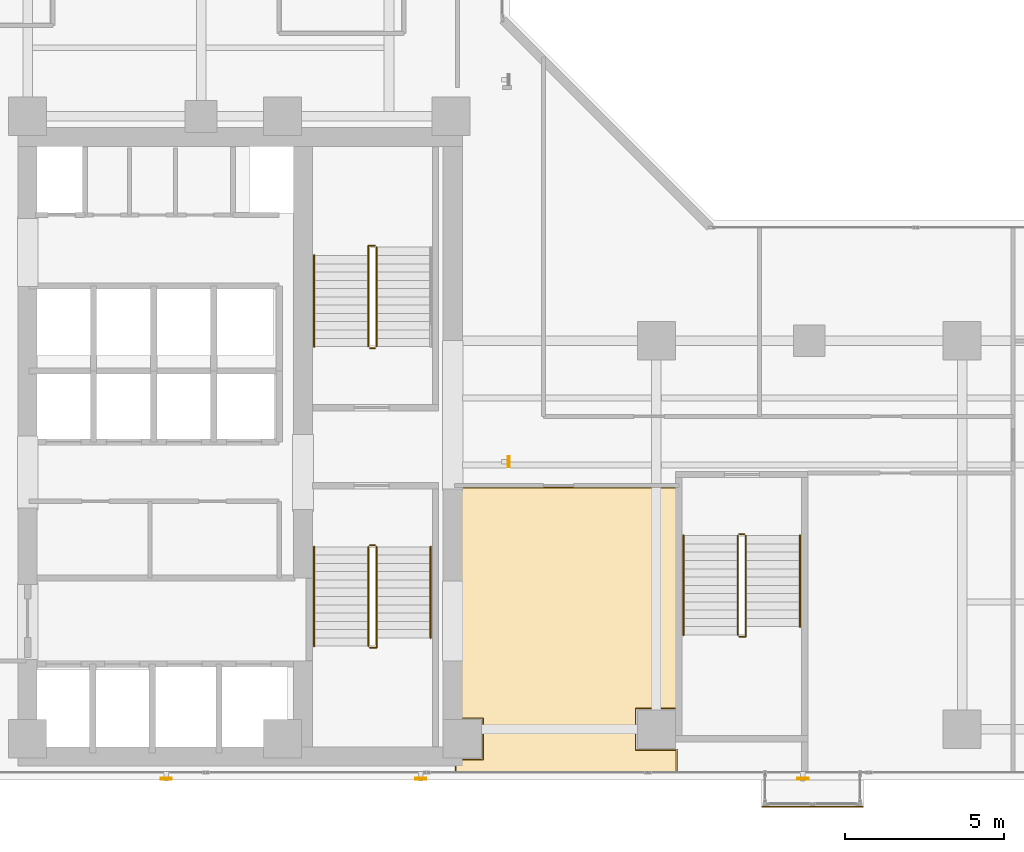
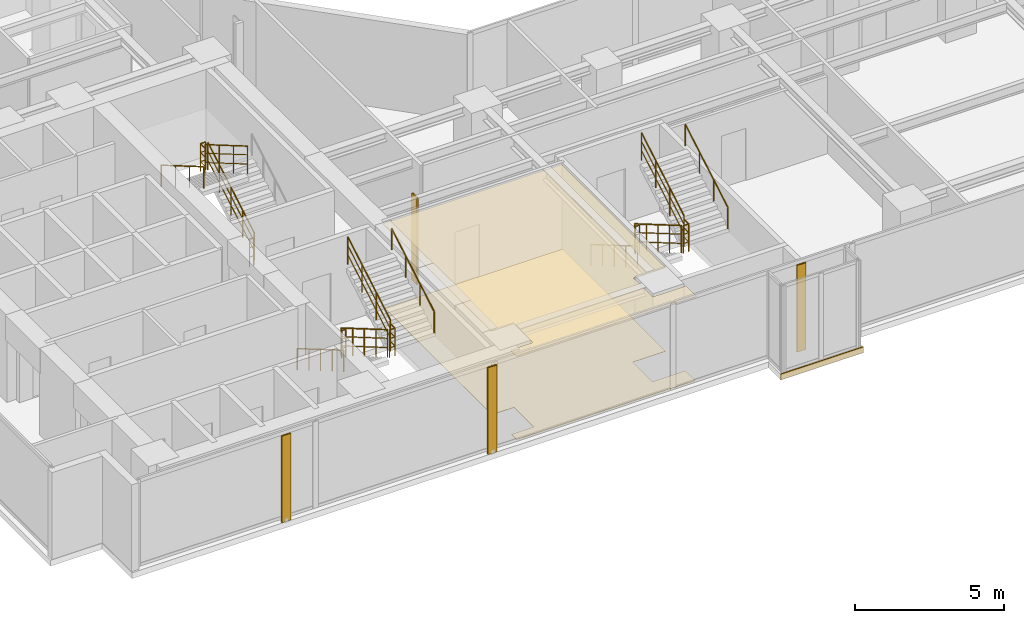
# One storey, part 23 of 24: 17 railings, 4 shading devices, 3 coverings.
"""IFC4 building model written with IfcOpenShell, lengths in metres."""

from ifc_helpers import new_model, si_unit, direction, frame, origin, origin_2d, place, context, subcontext, project, spatial, polyline, rectangle, hollow_rectangle, circle, outline, extrude, material, layer, layer_set, material_profile, profile_set, type_object, element, save


model = new_model("IFC4")

# Units and contexts
model_context = context("Model", 3, precision=1e-05, world=origin(), true_north=direction((0.0, 1.0)))
body_context = subcontext(model_context, "Body", "Model", "MODEL_VIEW")
ifc_project = project(units=[si_unit("LENGTHUNIT", "METRE"), si_unit("AREAUNIT", "SQUARE_METRE"), si_unit("VOLUMEUNIT", "CUBIC_METRE"), si_unit("PLANEANGLEUNIT", "RADIAN"), si_unit("MASSUNIT", "GRAM", prefix="KILO")], contexts=[model_context])

# Site, building, storey
site_placement = place(None, origin())
site = spatial("IfcSite", under=ifc_project, at=site_placement, CompositionType="ELEMENT")
building_placement = place(site_placement, origin())
building = spatial("IfcBuilding", under=site, at=building_placement, Name="Kolvaren Waterfront Exchange", CompositionType="ELEMENT")
storey_placement = place(building_placement, frame((0.0, 0.0, 172.800048828125)))
storey = spatial("IfcBuildingStorey", under=building, at=storey_placement, Name="L44", CompositionType="ELEMENT", Elevation=172.800048828125)

# Coverings
ifc_material_1 = material(Name="Mineral fibre acoustic ceiling tile")
ifc_layer_1 = layer(ifc_material_1, 0.02490234375, Name="Mineral fibre acoustic ceiling tile")
ifc_layer_set_1 = layer_set([ifc_layer_1], Name="Mineral fibre acoustic ceiling tile")
covering_type_1 = type_object("IfcCoveringType", Name="ARC-CEIL-ACOUSTIC-25", PredefinedType="CEILING", material=ifc_layer_set_1)
covering_1_placement = place(storey_placement, frame((0.0, 0.0, 3.445068359375)))
element("IfcCovering", 1, at=covering_1_placement, inside=storey, type_object=covering_type_1, Name="L44 acoustic suspended ceiling 3", PredefinedType="CEILING", context=body_context, shape_type="SweptSolid", body=[
    extrude(outline(polyline([(20.864990234375, 5.5400390625), (21.739990234375, 5.5400390625), (21.739990234375, 4.260009765625), (20.864990234375, 4.260009765625), (20.864990234375, 3.844970703125), (27.85498046875, 3.844970703125), (27.85498046875, 4.574951171875), (27.840087890625, 4.574951171875), (27.840087890625, 4.56005859375), (26.56005859375, 4.56005859375), (26.56005859375, 5.840087890625), (27.800048828125, 5.840087890625), (27.800048828125, 12.81494140625), (20.864990234375, 12.81494140625), (20.864990234375, 5.5400390625)])), origin(), (0.0, 0.0, 1.0), 0.02490234375),
])
ifc_material_2 = material(Name="Anodised bronze fascia aluminium", Category="aluminium")
ifc_layer_2 = layer(ifc_material_2, 0.034912109375, Name="Anodised bronze fascia aluminium")
ifc_layer_set_2 = layer_set([ifc_layer_2], Name="Anodised bronze fascia aluminium")
covering_type_2 = type_object("IfcCoveringType", Name="ARC-CLAD-BRONZE-35", PredefinedType="CLADDING", material=ifc_layer_set_2)
covering_2_placement = place(storey_placement, frame((32.10009765625, 2.77001953125, -0.22021484375), z_axis=(0.0, 0.0, 1.0), x_axis=(1.0, 0.0, 0.0)))
element("IfcCovering", 2, at=covering_2_placement, inside=storey, type_object=covering_type_2, Name="L44 ribbed anodised bronze bay-box fascia", PredefinedType="CLADDING", context=body_context, shape_type="SweptSolid", body=[
    extrude(rectangle(XDim=3.199951171875, YDim=0.034912109375, at=origin_2d()), origin(), (0.0, 0.0, 1.0), 0.239990234375),
])

# Shading devices
ifc_material_3 = material(Name="Anodised bronze aluminium 6063-T6", Category="aluminium")
ifc_material_profile = material_profile(ifc_material_3, hollow_rectangle(XDim=0.06005859375, YDim=0.35009765625, WallThickness=0.0048828125, at=origin_2d()), Name="BRZ-FIN-350x60x5")
ifc_profile_set = profile_set([ifc_material_profile], Name="Anodised bronze aluminium 6063-T6")
shading_device_type = type_object("IfcShadingDeviceType", Name="ARC-FIN-350", PredefinedType="USERDEFINED", material=ifc_profile_set)
for number, where, z_axis, x_axis, name in (
    (3, (11.800048828125, 3.639892578125, 0.0), (0.0, 0.0, 1.0), (0.0, -1.0, 0.0), "L44 anodised bronze solar shading fin FIN-L44-S1"),
    (4, (19.800048828125, 3.639892578125, 0.0), (0.0, 0.0, 1.0), (0.0, -1.0, 0.0), "L44 anodised bronze solar shading fin FIN-L44-S2"),
    (5, (31.800048828125, 3.639892578125, 0.0), (0.0, 0.0, 1.0), (0.0, -1.0, 0.0), "L44 anodised bronze solar shading fin FIN-L44-S3"),
    (6, (22.56005859375, 13.60009765625, 0.0), (0.0, 0.0, 1.0), (1.0, 0.0, 0.0), "L44 anodised bronze solar shading fin FIN-L44-E1"),
):
    element("IfcShadingDevice", number, at=place(storey_placement, frame(where, z_axis=z_axis, x_axis=x_axis)), inside=storey, type_object=shading_device_type, Name=name, ObjectType="SOLAR FIN", PredefinedType="USERDEFINED", context=body_context, shape_type="SweptSolid", body=[
        extrude(hollow_rectangle(XDim=0.06005859375, YDim=0.35009765625, WallThickness=0.0048828125, at=origin_2d()), origin(), (0.0, 0.0, 1.0), 3.56005859375),
    ])

# Covering
ifc_material_4 = material(Name="Slip-resistant porcelain tile")
ifc_layer_3 = layer(ifc_material_4, 0.014892578125, Name="Slip-resistant porcelain tile")
ifc_layer_set_3 = layer_set([ifc_layer_3], Name="Slip-resistant porcelain tile")
covering_type_3 = type_object("IfcCoveringType", Name="ARC-FLR-PORC-15", PredefinedType="FLOORING", material=ifc_layer_set_3)
covering_3_placement = place(storey_placement, origin())
element("IfcCovering", 7, at=covering_3_placement, inside=storey, type_object=covering_type_3, Name="L44 floor finish 3", PredefinedType="FLOORING", context=body_context, shape_type="SweptSolid", body=[
    extrude(outline(polyline([(20.89990234375, 4.239990234375), (20.89990234375, 3.8798828125), (27.820068359375, 3.8798828125), (27.820068359375, 4.5400390625), (26.5400390625, 4.5400390625), (26.5400390625, 5.860107421875), (27.820068359375, 5.860107421875), (27.820068359375, 12.780029296875), (20.89990234375, 12.780029296875), (20.89990234375, 5.56005859375), (21.760009765625, 5.56005859375), (21.760009765625, 4.239990234375), (20.89990234375, 4.239990234375)])), origin(), (0.0, 0.0, 1.0), 0.014892578125),
])

# Railings
ifc_material_5 = material(Name="Stainless steel 316", Category="steel")
railing_type_1 = type_object("IfcRailingType", Name="ARC-GUARD-STAIR", PredefinedType="GUARDRAIL", material=ifc_material_5)
railing_1_placement = place(storey_placement, frame((18.14990234375, 10.929931640625, 0.15185546875)))
element("IfcRailing", 8, at=railing_1_placement, inside=storey, type_object=railing_type_1, Name="L44 ST1 stair guard 1", PredefinedType="GUARDRAIL", context=body_context, shape_type="SweptSolid", body=[
    extrude(circle(Radius=0.02392578125, at=origin_2d()), frame((0.0, 0.0, 1.1259765625), z_axis=(0.0, -0.86329090724, 0.504706656858), x_axis=(1.0, 0.0, 0.0)), (0.0, 0.0, 1.0), 3.614013671875),
    extrude(circle(Radius=0.01611328125, at=origin_2d()), frame((0.0, 0.0, 0.390869140625), z_axis=(0.0, -0.86329090724, 0.504706656858), x_axis=(1.0, 0.0, 0.0)), (0.0, 0.0, 1.0), 3.614013671875),
    extrude(circle(Radius=0.01611328125, at=origin_2d()), frame((0.0, 0.0, 0.7705078125), z_axis=(0.0, -0.86329090724, 0.504706656858), x_axis=(1.0, 0.0, 0.0)), (0.0, 0.0, 1.0), 3.614013671875),
    extrude(circle(Radius=0.02099609375, at=origin_2d()), origin(), (0.0, 0.0, 1.0), 1.101806640625),
    extrude(circle(Radius=0.02099609375, at=origin_2d()), frame((0.0, -0.780029296875, 0.4560546875)), (0.0, 0.0, 1.0), 1.101806640625),
    extrude(circle(Radius=0.02099609375, at=origin_2d()), frame((0.0, -1.56005859375, 0.912109375)), (0.0, 0.0, 1.0), 1.101806640625),
    extrude(circle(Radius=0.02099609375, at=origin_2d()), frame((0.0, -2.33984375, 1.367919921875)), (0.0, 0.0, 1.0), 1.101806640625),
    extrude(circle(Radius=0.02099609375, at=origin_2d()), frame((0.0, -3.119873046875, 1.823974609375)), (0.0, 0.0, 1.0), 1.101806640625),
])
railing_2_placement = place(storey_placement, frame((18.199951171875, 7.760009765625, 1.975830078125)))
element("IfcRailing", 9, at=railing_2_placement, inside=storey, type_object=railing_type_1, Name="L44 ST1 stair guard 2", PredefinedType="GUARDRAIL", context=body_context, shape_type="SweptSolid", body=[
    extrude(circle(Radius=0.02392578125, at=origin_2d()), frame((0.0, 0.0, 1.1259765625), z_axis=(1.0, 0.0, 0.0), x_axis=(0.0, 1.0, 0.0)), (0.0, 0.0, 1.0), 0.2099609375),
    extrude(circle(Radius=0.01611328125, at=origin_2d()), frame((0.0, 0.0, 0.390869140625), z_axis=(1.0, 0.0, 0.0), x_axis=(0.0, 1.0, 0.0)), (0.0, 0.0, 1.0), 0.2099609375),
    extrude(circle(Radius=0.01611328125, at=origin_2d()), frame((0.0, 0.0, 0.7705078125), z_axis=(1.0, 0.0, 0.0), x_axis=(0.0, 1.0, 0.0)), (0.0, 0.0, 1.0), 0.2099609375),
    extrude(circle(Radius=0.02392578125, at=origin_2d()), frame((0.2099609375, 0.0, 1.1259765625), z_axis=(0.0, 1.0, 0.0), x_axis=(-1.0, 0.0, 0.0)), (0.0, 0.0, 1.0), 0.31005859375),
    extrude(circle(Radius=0.01611328125, at=origin_2d()), frame((0.2099609375, 0.0, 0.390869140625), z_axis=(0.0, 1.0, 0.0), x_axis=(-1.0, 0.0, 0.0)), (0.0, 0.0, 1.0), 0.31005859375),
    extrude(circle(Radius=0.01611328125, at=origin_2d()), frame((0.2099609375, 0.0, 0.7705078125), z_axis=(0.0, 1.0, 0.0), x_axis=(-1.0, 0.0, 0.0)), (0.0, 0.0, 1.0), 0.31005859375),
    extrude(circle(Radius=0.02099609375, at=origin_2d()), origin(), (0.0, 0.0, 1.0), 1.101806640625),
    extrude(circle(Radius=0.02099609375, at=origin_2d()), frame((0.2099609375, 0.0, 0.0)), (0.0, 0.0, 1.0), 1.101806640625),
    extrude(circle(Radius=0.02099609375, at=origin_2d()), frame((0.2099609375, 0.31005859375, 0.0)), (0.0, 0.0, 1.0), 1.101806640625),
])
railing_3_placement = place(storey_placement, frame((18.409912109375, 8.070068359375, 2.1279296875)))
element("IfcRailing", 10, at=railing_3_placement, inside=storey, type_object=railing_type_1, Name="L44 ST1 stair guard 3", PredefinedType="GUARDRAIL", context=body_context, shape_type="SweptSolid", body=[
    extrude(circle(Radius=0.02392578125, at=origin_2d()), frame((0.0, 0.0, 1.1259765625), z_axis=(0.0, 0.863270611444, 0.50474137082), x_axis=(-1.0, 0.0, 0.0)), (0.0, 0.0, 1.0), 3.312744140625),
    extrude(circle(Radius=0.01611328125, at=origin_2d()), frame((0.0, 0.0, 0.390869140625), z_axis=(0.0, 0.863270611444, 0.50474137082), x_axis=(-1.0, 0.0, 0.0)), (0.0, 0.0, 1.0), 3.312744140625),
    extrude(circle(Radius=0.01611328125, at=origin_2d()), frame((0.0, 0.0, 0.7705078125), z_axis=(0.0, 0.863270611444, 0.50474137082), x_axis=(-1.0, 0.0, 0.0)), (0.0, 0.0, 1.0), 3.312744140625),
    extrude(circle(Radius=0.02099609375, at=origin_2d()), origin(), (0.0, 0.0, 1.0), 1.101806640625),
    extrude(circle(Radius=0.02099609375, at=origin_2d()), frame((0.0, 0.953369140625, 0.557373046875)), (0.0, 0.0, 1.0), 1.101806640625),
    extrude(circle(Radius=0.02099609375, at=origin_2d()), frame((0.0, 1.906494140625, 1.11474609375)), (0.0, 0.0, 1.0), 1.101806640625),
    extrude(circle(Radius=0.02099609375, at=origin_2d()), frame((0.0, 2.85986328125, 1.672119140625)), (0.0, 0.0, 1.0), 1.101806640625),
])
railing_4_placement = place(storey_placement, frame((18.199951171875, 10.97998046875, 0.0)))
element("IfcRailing", 11, at=railing_4_placement, inside=storey, type_object=railing_type_1, Name="L44 ST1 stair guard 4", PredefinedType="GUARDRAIL", context=body_context, shape_type="SweptSolid", body=[
    extrude(circle(Radius=0.02392578125, at=origin_2d()), frame((0.0, 0.0, 1.1259765625), z_axis=(1.0, 0.0, 0.0), x_axis=(0.0, 1.0, 0.0)), (0.0, 0.0, 1.0), 0.16015625),
    extrude(circle(Radius=0.01611328125, at=origin_2d()), frame((0.0, 0.0, 0.390869140625), z_axis=(1.0, 0.0, 0.0), x_axis=(0.0, 1.0, 0.0)), (0.0, 0.0, 1.0), 0.16015625),
    extrude(circle(Radius=0.01611328125, at=origin_2d()), frame((0.0, 0.0, 0.7705078125), z_axis=(1.0, 0.0, 0.0), x_axis=(0.0, 1.0, 0.0)), (0.0, 0.0, 1.0), 0.16015625),
    extrude(circle(Radius=0.02099609375, at=origin_2d()), origin(), (0.0, 0.0, 1.0), 1.101806640625),
    extrude(circle(Radius=0.02099609375, at=origin_2d()), frame((0.16015625, 0.0, 0.0)), (0.0, 0.0, 1.0), 1.101806640625),
])
railing_5_placement = place(storey_placement, frame((18.409912109375, 17.219970703125, 0.15185546875)))
element("IfcRailing", 12, at=railing_5_placement, inside=storey, type_object=railing_type_1, Name="L44 ST2 stair guard 1", PredefinedType="GUARDRAIL", context=body_context, shape_type="SweptSolid", body=[
    extrude(circle(Radius=0.02392578125, at=origin_2d()), frame((0.0, 0.0, 1.1259765625), z_axis=(0.0, 0.86330811405, 0.504677223793), x_axis=(-1.0, 0.0, 0.0)), (0.0, 0.0, 1.0), 3.6142578125),
    extrude(circle(Radius=0.01611328125, at=origin_2d()), frame((0.0, 0.0, 0.390869140625), z_axis=(0.0, 0.86330811405, 0.504677223793), x_axis=(-1.0, 0.0, 0.0)), (0.0, 0.0, 1.0), 3.6142578125),
    extrude(circle(Radius=0.01611328125, at=origin_2d()), frame((0.0, 0.0, 0.7705078125), z_axis=(0.0, 0.86330811405, 0.504677223793), x_axis=(-1.0, 0.0, 0.0)), (0.0, 0.0, 1.0), 3.6142578125),
    extrude(circle(Radius=0.02099609375, at=origin_2d()), origin(), (0.0, 0.0, 1.0), 1.101806640625),
    extrude(circle(Radius=0.02099609375, at=origin_2d()), frame((0.0, 0.780029296875, 0.4560546875)), (0.0, 0.0, 1.0), 1.101806640625),
    extrude(circle(Radius=0.02099609375, at=origin_2d()), frame((0.0, 1.56005859375, 0.912109375)), (0.0, 0.0, 1.0), 1.101806640625),
    extrude(circle(Radius=0.02099609375, at=origin_2d()), frame((0.0, 2.340087890625, 1.367919921875)), (0.0, 0.0, 1.0), 1.101806640625),
    extrude(circle(Radius=0.02099609375, at=origin_2d()), frame((0.0, 3.1201171875, 1.823974609375)), (0.0, 0.0, 1.0), 1.101806640625),
])
railing_6_placement = place(storey_placement, frame((18.360107421875, 20.389892578125, 1.975830078125)))
element("IfcRailing", 13, at=railing_6_placement, inside=storey, type_object=railing_type_1, Name="L44 ST2 stair guard 2", PredefinedType="GUARDRAIL", context=body_context, shape_type="SweptSolid", body=[
    extrude(circle(Radius=0.02392578125, at=origin_2d()), frame((0.0, 0.0, 1.1259765625), z_axis=(-1.0, 0.0, 0.0), x_axis=(0.0, -1.0, 0.0)), (0.0, 0.0, 1.0), 0.210205078125),
    extrude(circle(Radius=0.01611328125, at=origin_2d()), frame((0.0, 0.0, 0.390869140625), z_axis=(-1.0, 0.0, 0.0), x_axis=(0.0, -1.0, 0.0)), (0.0, 0.0, 1.0), 0.210205078125),
    extrude(circle(Radius=0.01611328125, at=origin_2d()), frame((0.0, 0.0, 0.7705078125), z_axis=(-1.0, 0.0, 0.0), x_axis=(0.0, -1.0, 0.0)), (0.0, 0.0, 1.0), 0.210205078125),
    extrude(circle(Radius=0.02392578125, at=origin_2d()), frame((-0.210205078125, 0.0, 1.1259765625), z_axis=(0.0, -1.0, 0.0), x_axis=(1.0, 0.0, 0.0)), (0.0, 0.0, 1.0), 0.309814453125),
    extrude(circle(Radius=0.01611328125, at=origin_2d()), frame((-0.210205078125, 0.0, 0.390869140625), z_axis=(0.0, -1.0, 0.0), x_axis=(1.0, 0.0, 0.0)), (0.0, 0.0, 1.0), 0.309814453125),
    extrude(circle(Radius=0.01611328125, at=origin_2d()), frame((-0.210205078125, 0.0, 0.7705078125), z_axis=(0.0, -1.0, 0.0), x_axis=(1.0, 0.0, 0.0)), (0.0, 0.0, 1.0), 0.309814453125),
    extrude(circle(Radius=0.02099609375, at=origin_2d()), origin(), (0.0, 0.0, 1.0), 1.101806640625),
    extrude(circle(Radius=0.02099609375, at=origin_2d()), frame((-0.210205078125, 0.0, 0.0)), (0.0, 0.0, 1.0), 1.101806640625),
    extrude(circle(Radius=0.02099609375, at=origin_2d()), frame((-0.210205078125, -0.309814453125, 0.0)), (0.0, 0.0, 1.0), 1.101806640625),
])
railing_7_placement = place(storey_placement, frame((18.14990234375, 20.080078125, 2.1279296875)))
element("IfcRailing", 14, at=railing_7_placement, inside=storey, type_object=railing_type_1, Name="L44 ST2 stair guard 3", PredefinedType="GUARDRAIL", context=body_context, shape_type="SweptSolid", body=[
    extrude(circle(Radius=0.02392578125, at=origin_2d()), frame((0.0, 0.0, 1.1259765625), z_axis=(0.0, -0.863289384635, 0.504709261235), x_axis=(1.0, 0.0, 0.0)), (0.0, 0.0, 1.0), 3.31298828125),
    extrude(circle(Radius=0.01611328125, at=origin_2d()), frame((0.0, 0.0, 0.390869140625), z_axis=(0.0, -0.863289384635, 0.504709261235), x_axis=(1.0, 0.0, 0.0)), (0.0, 0.0, 1.0), 3.31298828125),
    extrude(circle(Radius=0.01611328125, at=origin_2d()), frame((0.0, 0.0, 0.7705078125), z_axis=(0.0, -0.863289384635, 0.504709261235), x_axis=(1.0, 0.0, 0.0)), (0.0, 0.0, 1.0), 3.31298828125),
    extrude(circle(Radius=0.02099609375, at=origin_2d()), origin(), (0.0, 0.0, 1.0), 1.101806640625),
    extrude(circle(Radius=0.02099609375, at=origin_2d()), frame((0.0, -0.953369140625, 0.557373046875)), (0.0, 0.0, 1.0), 1.101806640625),
    extrude(circle(Radius=0.02099609375, at=origin_2d()), frame((0.0, -1.90673828125, 1.11474609375)), (0.0, 0.0, 1.0), 1.101806640625),
    extrude(circle(Radius=0.02099609375, at=origin_2d()), frame((0.0, -2.860107421875, 1.672119140625)), (0.0, 0.0, 1.0), 1.101806640625),
])
railing_8_placement = place(storey_placement, frame((18.360107421875, 17.169921875, 0.0)))
element("IfcRailing", 15, at=railing_8_placement, inside=storey, type_object=railing_type_1, Name="L44 ST2 stair guard 4", PredefinedType="GUARDRAIL", context=body_context, shape_type="SweptSolid", body=[
    extrude(circle(Radius=0.02392578125, at=origin_2d()), frame((0.0, 0.0, 1.1259765625), z_axis=(-1.0, 0.0, 0.0), x_axis=(0.0, -1.0, 0.0)), (0.0, 0.0, 1.0), 0.16015625),
    extrude(circle(Radius=0.01611328125, at=origin_2d()), frame((0.0, 0.0, 0.390869140625), z_axis=(-1.0, 0.0, 0.0), x_axis=(0.0, -1.0, 0.0)), (0.0, 0.0, 1.0), 0.16015625),
    extrude(circle(Radius=0.01611328125, at=origin_2d()), frame((0.0, 0.0, 0.7705078125), z_axis=(-1.0, 0.0, 0.0), x_axis=(0.0, -1.0, 0.0)), (0.0, 0.0, 1.0), 0.16015625),
    extrude(circle(Radius=0.02099609375, at=origin_2d()), origin(), (0.0, 0.0, 1.0), 1.101806640625),
    extrude(circle(Radius=0.02099609375, at=origin_2d()), frame((-0.16015625, 0.0, 0.0)), (0.0, 0.0, 1.0), 1.101806640625),
])
railing_9_placement = place(storey_placement, frame((29.75, 11.280029296875, 0.15185546875)))
element("IfcRailing", 16, at=railing_9_placement, inside=storey, type_object=railing_type_1, Name="L44 ST3 stair guard 1", PredefinedType="GUARDRAIL", context=body_context, shape_type="SweptSolid", body=[
    extrude(circle(Radius=0.02392578125, at=origin_2d()), frame((0.0, 0.0, 1.1259765625), z_axis=(0.0, -0.86330811405, 0.504677223793), x_axis=(1.0, 0.0, 0.0)), (0.0, 0.0, 1.0), 3.6142578125),
    extrude(circle(Radius=0.01611328125, at=origin_2d()), frame((0.0, 0.0, 0.390869140625), z_axis=(0.0, -0.86330811405, 0.504677223793), x_axis=(1.0, 0.0, 0.0)), (0.0, 0.0, 1.0), 3.6142578125),
    extrude(circle(Radius=0.01611328125, at=origin_2d()), frame((0.0, 0.0, 0.7705078125), z_axis=(0.0, -0.86330811405, 0.504677223793), x_axis=(1.0, 0.0, 0.0)), (0.0, 0.0, 1.0), 3.6142578125),
    extrude(circle(Radius=0.02099609375, at=origin_2d()), origin(), (0.0, 0.0, 1.0), 1.101806640625),
    extrude(circle(Radius=0.02099609375, at=origin_2d()), frame((0.0, -0.780029296875, 0.4560546875)), (0.0, 0.0, 1.0), 1.101806640625),
    extrude(circle(Radius=0.02099609375, at=origin_2d()), frame((0.0, -1.56005859375, 0.912109375)), (0.0, 0.0, 1.0), 1.101806640625),
    extrude(circle(Radius=0.02099609375, at=origin_2d()), frame((0.0, -2.340087890625, 1.367919921875)), (0.0, 0.0, 1.0), 1.101806640625),
    extrude(circle(Radius=0.02099609375, at=origin_2d()), frame((0.0, -3.1201171875, 1.823974609375)), (0.0, 0.0, 1.0), 1.101806640625),
])
railing_10_placement = place(storey_placement, frame((29.800048828125, 8.110107421875, 1.975830078125)))
element("IfcRailing", 17, at=railing_10_placement, inside=storey, type_object=railing_type_1, Name="L44 ST3 stair guard 2", PredefinedType="GUARDRAIL", context=body_context, shape_type="SweptSolid", body=[
    extrude(circle(Radius=0.02392578125, at=origin_2d()), frame((0.0, 0.0, 1.1259765625), z_axis=(1.0, 0.0, 0.0), x_axis=(0.0, 1.0, 0.0)), (0.0, 0.0, 1.0), 0.2099609375),
    extrude(circle(Radius=0.01611328125, at=origin_2d()), frame((0.0, 0.0, 0.390869140625), z_axis=(1.0, 0.0, 0.0), x_axis=(0.0, 1.0, 0.0)), (0.0, 0.0, 1.0), 0.2099609375),
    extrude(circle(Radius=0.01611328125, at=origin_2d()), frame((0.0, 0.0, 0.7705078125), z_axis=(1.0, 0.0, 0.0), x_axis=(0.0, 1.0, 0.0)), (0.0, 0.0, 1.0), 0.2099609375),
    extrude(circle(Radius=0.02392578125, at=origin_2d()), frame((0.2099609375, 0.0, 1.1259765625), z_axis=(0.0, 1.0, 0.0), x_axis=(-1.0, 0.0, 0.0)), (0.0, 0.0, 1.0), 0.309814453125),
    extrude(circle(Radius=0.01611328125, at=origin_2d()), frame((0.2099609375, 0.0, 0.390869140625), z_axis=(0.0, 1.0, 0.0), x_axis=(-1.0, 0.0, 0.0)), (0.0, 0.0, 1.0), 0.309814453125),
    extrude(circle(Radius=0.01611328125, at=origin_2d()), frame((0.2099609375, 0.0, 0.7705078125), z_axis=(0.0, 1.0, 0.0), x_axis=(-1.0, 0.0, 0.0)), (0.0, 0.0, 1.0), 0.309814453125),
    extrude(circle(Radius=0.02099609375, at=origin_2d()), origin(), (0.0, 0.0, 1.0), 1.101806640625),
    extrude(circle(Radius=0.02099609375, at=origin_2d()), frame((0.2099609375, 0.0, 0.0)), (0.0, 0.0, 1.0), 1.101806640625),
    extrude(circle(Radius=0.02099609375, at=origin_2d()), frame((0.2099609375, 0.309814453125, 0.0)), (0.0, 0.0, 1.0), 1.101806640625),
])
railing_11_placement = place(storey_placement, frame((30.010009765625, 8.419921875, 2.1279296875)))
element("IfcRailing", 18, at=railing_11_placement, inside=storey, type_object=railing_type_1, Name="L44 ST3 stair guard 3", PredefinedType="GUARDRAIL", context=body_context, shape_type="SweptSolid", body=[
    extrude(circle(Radius=0.02392578125, at=origin_2d()), frame((0.0, 0.0, 1.1259765625), z_axis=(0.0, 0.863289384635, 0.504709261235), x_axis=(-1.0, 0.0, 0.0)), (0.0, 0.0, 1.0), 3.31298828125),
    extrude(circle(Radius=0.01611328125, at=origin_2d()), frame((0.0, 0.0, 0.390869140625), z_axis=(0.0, 0.863289384635, 0.504709261235), x_axis=(-1.0, 0.0, 0.0)), (0.0, 0.0, 1.0), 3.31298828125),
    extrude(circle(Radius=0.01611328125, at=origin_2d()), frame((0.0, 0.0, 0.7705078125), z_axis=(0.0, 0.863289384635, 0.504709261235), x_axis=(-1.0, 0.0, 0.0)), (0.0, 0.0, 1.0), 3.31298828125),
    extrude(circle(Radius=0.02099609375, at=origin_2d()), origin(), (0.0, 0.0, 1.0), 1.101806640625),
    extrude(circle(Radius=0.02099609375, at=origin_2d()), frame((0.0, 0.953369140625, 0.557373046875)), (0.0, 0.0, 1.0), 1.101806640625),
    extrude(circle(Radius=0.02099609375, at=origin_2d()), frame((0.0, 1.90673828125, 1.11474609375)), (0.0, 0.0, 1.0), 1.101806640625),
    extrude(circle(Radius=0.02099609375, at=origin_2d()), frame((0.0, 2.860107421875, 1.672119140625)), (0.0, 0.0, 1.0), 1.101806640625),
])
railing_12_placement = place(storey_placement, frame((29.800048828125, 11.330078125, 0.0)))
element("IfcRailing", 19, at=railing_12_placement, inside=storey, type_object=railing_type_1, Name="L44 ST3 stair guard 4", PredefinedType="GUARDRAIL", context=body_context, shape_type="SweptSolid", body=[
    extrude(circle(Radius=0.02392578125, at=origin_2d()), frame((0.0, 0.0, 1.1259765625), z_axis=(1.0, 0.0, 0.0), x_axis=(0.0, 1.0, 0.0)), (0.0, 0.0, 1.0), 0.159912109375),
    extrude(circle(Radius=0.01611328125, at=origin_2d()), frame((0.0, 0.0, 0.390869140625), z_axis=(1.0, 0.0, 0.0), x_axis=(0.0, 1.0, 0.0)), (0.0, 0.0, 1.0), 0.159912109375),
    extrude(circle(Radius=0.01611328125, at=origin_2d()), frame((0.0, 0.0, 0.7705078125), z_axis=(1.0, 0.0, 0.0), x_axis=(0.0, 1.0, 0.0)), (0.0, 0.0, 1.0), 0.159912109375),
    extrude(circle(Radius=0.02099609375, at=origin_2d()), origin(), (0.0, 0.0, 1.0), 1.101806640625),
    extrude(circle(Radius=0.02099609375, at=origin_2d()), frame((0.159912109375, 0.0, 0.0)), (0.0, 0.0, 1.0), 1.101806640625),
])
railing_type_2 = type_object("IfcRailingType", Name="ARC-HANDRAIL-900", PredefinedType="HANDRAIL", material=ifc_material_5)
railing_13_placement = place(storey_placement, frame((16.449951171875, 10.929931640625, 0.15185546875)))
element("IfcRailing", 20, at=railing_13_placement, inside=storey, type_object=railing_type_2, Name="L44 ST1 stair handrail 1", PredefinedType="HANDRAIL", context=body_context, shape_type="SweptSolid", body=[
    extrude(circle(Radius=0.02392578125, at=origin_2d()), frame((0.0, 0.0, 0.8759765625), z_axis=(0.0, -0.86329090724, 0.504706656858), x_axis=(1.0, 0.0, 0.0)), (0.0, 0.0, 1.0), 3.614013671875),
    extrude(circle(Radius=0.02099609375, at=origin_2d()), origin(), (0.0, 0.0, 1.0), 0.851806640625),
    extrude(circle(Radius=0.02099609375, at=origin_2d()), frame((0.0, -0.780029296875, 0.4560546875)), (0.0, 0.0, 1.0), 0.851806640625),
    extrude(circle(Radius=0.02099609375, at=origin_2d()), frame((0.0, -1.56005859375, 0.912109375)), (0.0, 0.0, 1.0), 0.851806640625),
    extrude(circle(Radius=0.02099609375, at=origin_2d()), frame((0.0, -2.33984375, 1.367919921875)), (0.0, 0.0, 1.0), 0.851806640625),
    extrude(circle(Radius=0.02099609375, at=origin_2d()), frame((0.0, -3.119873046875, 1.823974609375)), (0.0, 0.0, 1.0), 0.851806640625),
])
railing_14_placement = place(storey_placement, frame((20.110107421875, 8.070068359375, 2.1279296875)))
element("IfcRailing", 21, at=railing_14_placement, inside=storey, type_object=railing_type_2, Name="L44 ST1 stair handrail 2", PredefinedType="HANDRAIL", context=body_context, shape_type="SweptSolid", body=[
    extrude(circle(Radius=0.02392578125, at=origin_2d()), frame((0.0, 0.0, 0.8759765625), z_axis=(0.0, 0.863270611444, 0.50474137082), x_axis=(-1.0, 0.0, 0.0)), (0.0, 0.0, 1.0), 3.312744140625),
    extrude(circle(Radius=0.02099609375, at=origin_2d()), origin(), (0.0, 0.0, 1.0), 0.851806640625),
    extrude(circle(Radius=0.02099609375, at=origin_2d()), frame((0.0, 0.953369140625, 0.557373046875)), (0.0, 0.0, 1.0), 0.851806640625),
    extrude(circle(Radius=0.02099609375, at=origin_2d()), frame((0.0, 1.906494140625, 1.11474609375)), (0.0, 0.0, 1.0), 0.851806640625),
    extrude(circle(Radius=0.02099609375, at=origin_2d()), frame((0.0, 2.85986328125, 1.672119140625)), (0.0, 0.0, 1.0), 0.851806640625),
])
railing_15_placement = place(storey_placement, frame((16.449951171875, 20.080078125, 2.1279296875)))
element("IfcRailing", 22, at=railing_15_placement, inside=storey, type_object=railing_type_2, Name="L44 ST2 stair handrail 2", PredefinedType="HANDRAIL", context=body_context, shape_type="SweptSolid", body=[
    extrude(circle(Radius=0.02392578125, at=origin_2d()), frame((0.0, 0.0, 0.8759765625), z_axis=(0.0, -0.863289384635, 0.504709261235), x_axis=(1.0, 0.0, 0.0)), (0.0, 0.0, 1.0), 3.31298828125),
    extrude(circle(Radius=0.02099609375, at=origin_2d()), origin(), (0.0, 0.0, 1.0), 0.851806640625),
    extrude(circle(Radius=0.02099609375, at=origin_2d()), frame((0.0, -0.953369140625, 0.557373046875)), (0.0, 0.0, 1.0), 0.851806640625),
    extrude(circle(Radius=0.02099609375, at=origin_2d()), frame((0.0, -1.90673828125, 1.11474609375)), (0.0, 0.0, 1.0), 0.851806640625),
    extrude(circle(Radius=0.02099609375, at=origin_2d()), frame((0.0, -2.860107421875, 1.672119140625)), (0.0, 0.0, 1.0), 0.851806640625),
])
railing_16_placement = place(storey_placement, frame((28.050048828125, 11.280029296875, 0.15185546875)))
element("IfcRailing", 23, at=railing_16_placement, inside=storey, type_object=railing_type_2, Name="L44 ST3 stair handrail 1", PredefinedType="HANDRAIL", context=body_context, shape_type="SweptSolid", body=[
    extrude(circle(Radius=0.02392578125, at=origin_2d()), frame((0.0, 0.0, 0.8759765625), z_axis=(0.0, -0.86330811405, 0.504677223793), x_axis=(1.0, 0.0, 0.0)), (0.0, 0.0, 1.0), 3.6142578125),
    extrude(circle(Radius=0.02099609375, at=origin_2d()), origin(), (0.0, 0.0, 1.0), 0.851806640625),
    extrude(circle(Radius=0.02099609375, at=origin_2d()), frame((0.0, -0.780029296875, 0.4560546875)), (0.0, 0.0, 1.0), 0.851806640625),
    extrude(circle(Radius=0.02099609375, at=origin_2d()), frame((0.0, -1.56005859375, 0.912109375)), (0.0, 0.0, 1.0), 0.851806640625),
    extrude(circle(Radius=0.02099609375, at=origin_2d()), frame((0.0, -2.340087890625, 1.367919921875)), (0.0, 0.0, 1.0), 0.851806640625),
    extrude(circle(Radius=0.02099609375, at=origin_2d()), frame((0.0, -3.1201171875, 1.823974609375)), (0.0, 0.0, 1.0), 0.851806640625),
])
railing_17_placement = place(storey_placement, frame((31.7099609375, 8.419921875, 2.1279296875)))
element("IfcRailing", 24, at=railing_17_placement, inside=storey, type_object=railing_type_2, Name="L44 ST3 stair handrail 2", PredefinedType="HANDRAIL", context=body_context, shape_type="SweptSolid", body=[
    extrude(circle(Radius=0.02392578125, at=origin_2d()), frame((0.0, 0.0, 0.8759765625), z_axis=(0.0, 0.863289384635, 0.504709261235), x_axis=(-1.0, 0.0, 0.0)), (0.0, 0.0, 1.0), 3.31298828125),
    extrude(circle(Radius=0.02099609375, at=origin_2d()), origin(), (0.0, 0.0, 1.0), 0.851806640625),
    extrude(circle(Radius=0.02099609375, at=origin_2d()), frame((0.0, 0.953369140625, 0.557373046875)), (0.0, 0.0, 1.0), 0.851806640625),
    extrude(circle(Radius=0.02099609375, at=origin_2d()), frame((0.0, 1.90673828125, 1.11474609375)), (0.0, 0.0, 1.0), 0.851806640625),
    extrude(circle(Radius=0.02099609375, at=origin_2d()), frame((0.0, 2.860107421875, 1.672119140625)), (0.0, 0.0, 1.0), 0.851806640625),
])

save(model, "model.ifc")
